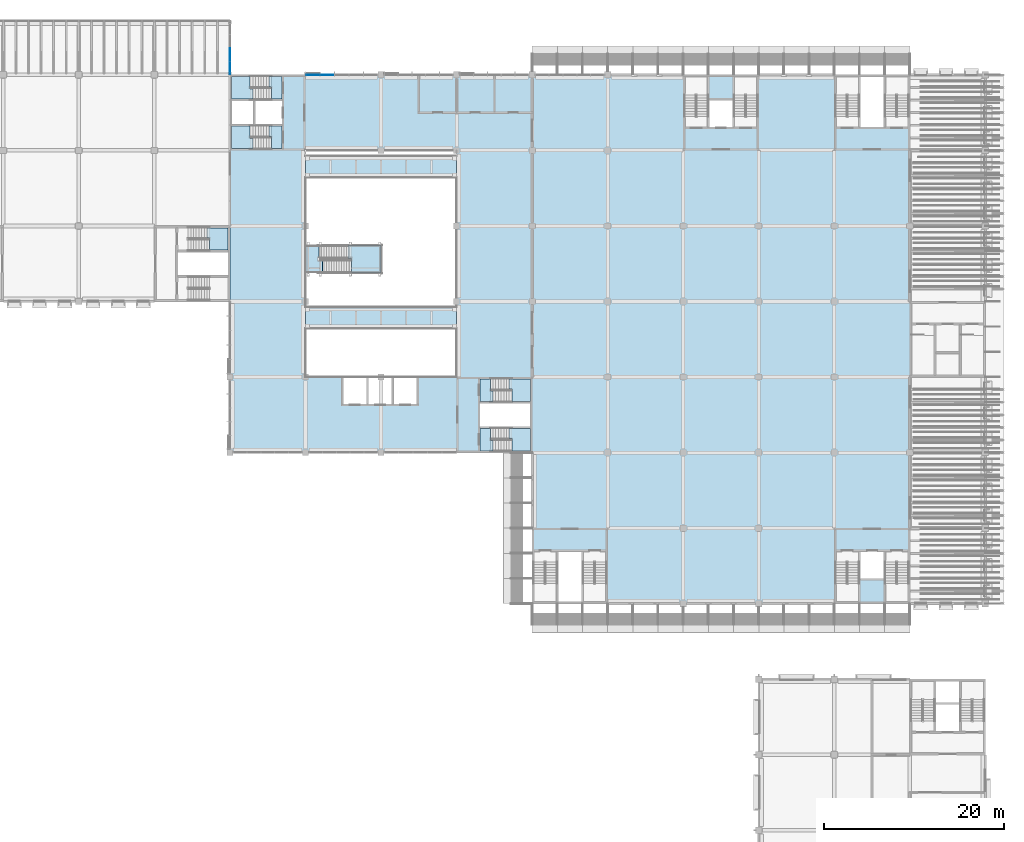
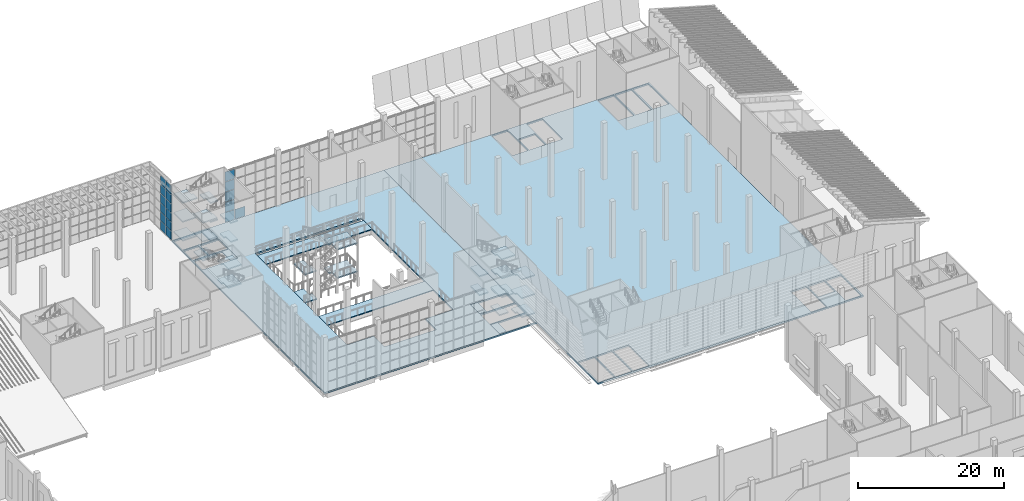
# One storey, part 36 of 114: 34 slabs, 18 plates, 8 elements without a shape of their own.
"""IFC4 building model written with IfcOpenShell, lengths in metres."""

from ifc_helpers import new_model, si_unit, direction, frame, origin, origin_2d, place, context, subcontext, project, spatial, polyline, rectangle, outline, extrude, material, layer, layer_set, type_object, element, aggregate, save


model = new_model("IFC4")

# Units and contexts
model_context = context("Model", 3, precision=1e-05, world=origin(), true_north=direction((0.0, 1.0)))
body_context = subcontext(model_context, "Body", "Model", "MODEL_VIEW")
ifc_project = project(units=[si_unit("LENGTHUNIT", "METRE"), si_unit("AREAUNIT", "SQUARE_METRE"), si_unit("VOLUMEUNIT", "CUBIC_METRE"), si_unit("PLANEANGLEUNIT", "RADIAN"), si_unit("MASSUNIT", "GRAM", prefix="KILO")], contexts=[model_context])

# Site, building, storey
site_placement = place(None, origin())
site = spatial("IfcSite", under=ifc_project, at=site_placement, CompositionType="ELEMENT")
building_placement = place(site_placement, origin())
building = spatial("IfcBuilding", under=site, at=building_placement, Name="Almond Square Museum", CompositionType="ELEMENT")
storey_placement = place(building_placement, frame((0.0, 0.0, 10.5)))
storey = spatial("IfcBuildingStorey", under=building, at=storey_placement, Name="L02", CompositionType="ELEMENT", Elevation=10.5)

# Slabs
ifc_material_1 = material(Name="Concrete C35/45", Category="concrete")
ifc_layer_1 = layer(ifc_material_1, 0.14990234375)
ifc_layer_set_1 = layer_set([ifc_layer_1], Name="Concrete C35/45")
slab_type_1 = type_object("IfcSlabType", Name="Bridge deck slab 150", PredefinedType="FLOOR", material=ifc_layer_set_1)
slab_1_placement = place(storey_placement, frame((0.0, 0.0, -0.14990234375)))
element("IfcSlab", 1, at=slab_1_placement, inside=storey, type_object=slab_type_1, Name="Bridge 3 deck", PredefinedType="FLOOR", context=body_context, shape_type="SweptSolid", body=[
    extrude(outline(polyline([(81.60009765625, 81.0), (98.39990234375, 81.0), (98.39990234375, 83.39990234375), (81.60009765625, 83.39990234375), (81.60009765625, 81.0)])), origin(), (0.0, 0.0, 1.0), 0.14990234375),
])
slab_2_placement = place(storey_placement, frame((0.0, 0.0, -0.14990234375)))
element("IfcSlab", 2, at=slab_2_placement, inside=storey, type_object=slab_type_1, Name="Bridge 4 deck", PredefinedType="FLOOR", context=body_context, shape_type="SweptSolid", body=[
    extrude(outline(polyline([(81.60009765625, 97.800048828125), (98.39990234375, 97.800048828125), (98.39990234375, 100.199951171875), (81.60009765625, 100.199951171875), (81.60009765625, 97.800048828125)])), origin(), (0.0, 0.0, 1.0), 0.14990234375),
])

# Stair, slabs
ifc_material_2 = material(Name="Concrete C40/50", Category="concrete")
stair_type_1 = type_object("IfcStairType", Name="Exit stair 54 risers of 176 mm", PredefinedType="HALF_TURN_STAIR", material=ifc_material_2)
stair_1_placement = place(storey_placement, origin())
stair_1 = element("IfcStair", 3, at=stair_1_placement, inside=storey, type_object=stair_type_1, Name="L02 stair A1-1", PredefinedType="HALF_TURN_STAIR")
ifc_material_3 = material(Name="Concrete C40/50", Category="concrete")
ifc_layer_2 = layer(ifc_material_3, 0.199951171875)
ifc_layer_set_2 = layer_set([ifc_layer_2], Name="Concrete C40/50")
slab_type_2 = type_object("IfcSlabType", Name="Concrete stair landing 200", PredefinedType="LANDING", material=ifc_layer_set_2)
slab_3_placement = place(storey_placement, frame((0.0, 0.0, 1.38330078125)))
slab_3 = element("IfcSlab", 4, at=slab_3_placement, type_object=slab_type_2, Name="ST-09 landing 1", PredefinedType="LANDING", context=body_context, shape_type="SweptSolid", body=[
    extrude(outline(polyline([(75.452880859375, 103.5), (73.39990234375, 103.5), (73.39990234375, 101.0), (75.75, 101.0), (75.75, 102.14990234375), (75.452880859375, 102.14990234375), (75.452880859375, 103.5)])), origin(), (0.0, 0.0, 1.0), 0.199951171875),
])
slab_4_placement = place(storey_placement, frame((0.0, 0.0, 2.966552734375)))
slab_4 = element("IfcSlab", 5, at=slab_4_placement, type_object=slab_type_2, Name="ST-09 landing 2", PredefinedType="LANDING", context=body_context, shape_type="SweptSolid", body=[
    extrude(outline(polyline([(79.0, 103.5), (77.85009765625, 103.5), (77.550048828125, 103.5), (77.550048828125, 102.35009765625), (77.846923828125, 102.35009765625), (77.846923828125, 101.0), (79.0, 101.0), (79.0, 103.5)])), origin(), (0.0, 0.0, 1.0), 0.2001953125),
])
slab_5_placement = place(storey_placement, frame((0.0, 0.0, 4.550048828125)))
slab_5 = element("IfcSlab", 6, at=slab_5_placement, type_object=slab_type_2, Name="ST-09 landing 3", PredefinedType="LANDING", context=body_context, shape_type="SweptSolid", body=[
    extrude(outline(polyline([(75.452880859375, 103.5), (73.39990234375, 103.5), (73.39990234375, 101.0), (75.75, 101.0), (75.75, 102.14990234375), (75.452880859375, 102.14990234375), (75.452880859375, 103.5)])), origin(), (0.0, 0.0, 1.0), 0.199951171875),
])
slab_6_placement = place(storey_placement, frame((0.0, 0.0, 6.13330078125)))
slab_6 = element("IfcSlab", 7, at=slab_6_placement, type_object=slab_type_2, Name="ST-09 landing 4", PredefinedType="LANDING", context=body_context, shape_type="SweptSolid", body=[
    extrude(outline(polyline([(79.0, 103.5), (77.85009765625, 103.5), (77.550048828125, 103.5), (77.550048828125, 102.35009765625), (77.846923828125, 102.35009765625), (77.846923828125, 101.0), (79.0, 101.0), (79.0, 103.5)])), origin(), (0.0, 0.0, 1.0), 0.199951171875),
])
slab_7_placement = place(storey_placement, frame((0.0, 0.0, 7.716552734375)))
slab_7 = element("IfcSlab", 8, at=slab_7_placement, type_object=slab_type_2, Name="ST-09 landing 5", PredefinedType="LANDING", context=body_context, shape_type="SweptSolid", body=[
    extrude(outline(polyline([(75.452880859375, 103.5), (73.39990234375, 103.5), (73.39990234375, 101.0), (75.75, 101.0), (75.75, 102.14990234375), (75.452880859375, 102.14990234375), (75.452880859375, 103.5)])), origin(), (0.0, 0.0, 1.0), 0.2001953125),
])
aggregate(stair_1, [slab_3, slab_4, slab_5, slab_6, slab_7])

stair_2_placement = place(storey_placement, origin())
stair_2 = element("IfcStair", 9, at=stair_2_placement, inside=storey, type_object=stair_type_1, Name="L02 stair A1-2", PredefinedType="HALF_TURN_STAIR")
slab_8_placement = place(storey_placement, frame((0.0, 0.0, 1.38330078125)))
slab_8 = element("IfcSlab", 10, at=slab_8_placement, type_object=slab_type_2, Name="ST-10 landing 1", PredefinedType="LANDING", context=body_context, shape_type="SweptSolid", body=[
    extrude(outline(polyline([(75.452880859375, 109.0), (73.39990234375, 109.0), (73.39990234375, 106.5), (75.75, 106.5), (75.75, 107.64990234375), (75.452880859375, 107.64990234375), (75.452880859375, 109.0)])), origin(), (0.0, 0.0, 1.0), 0.199951171875),
])
slab_9_placement = place(storey_placement, frame((0.0, 0.0, 2.966552734375)))
slab_9 = element("IfcSlab", 11, at=slab_9_placement, type_object=slab_type_2, Name="ST-10 landing 2", PredefinedType="LANDING", context=body_context, shape_type="SweptSolid", body=[
    extrude(outline(polyline([(79.0, 109.0), (77.85009765625, 109.0), (77.550048828125, 109.0), (77.550048828125, 107.85009765625), (77.846923828125, 107.85009765625), (77.846923828125, 106.5), (79.0, 106.5), (79.0, 109.0)])), origin(), (0.0, 0.0, 1.0), 0.2001953125),
])
slab_10_placement = place(storey_placement, frame((0.0, 0.0, 4.550048828125)))
slab_10 = element("IfcSlab", 12, at=slab_10_placement, type_object=slab_type_2, Name="ST-10 landing 3", PredefinedType="LANDING", context=body_context, shape_type="SweptSolid", body=[
    extrude(outline(polyline([(75.452880859375, 109.0), (73.39990234375, 109.0), (73.39990234375, 106.5), (75.75, 106.5), (75.75, 107.64990234375), (75.452880859375, 107.64990234375), (75.452880859375, 109.0)])), origin(), (0.0, 0.0, 1.0), 0.199951171875),
])
slab_11_placement = place(storey_placement, frame((0.0, 0.0, 6.13330078125)))
slab_11 = element("IfcSlab", 13, at=slab_11_placement, type_object=slab_type_2, Name="ST-10 landing 4", PredefinedType="LANDING", context=body_context, shape_type="SweptSolid", body=[
    extrude(outline(polyline([(79.0, 109.0), (77.85009765625, 109.0), (77.550048828125, 109.0), (77.550048828125, 107.85009765625), (77.846923828125, 107.85009765625), (77.846923828125, 106.5), (79.0, 106.5), (79.0, 109.0)])), origin(), (0.0, 0.0, 1.0), 0.199951171875),
])
slab_12_placement = place(storey_placement, frame((0.0, 0.0, 7.716552734375)))
slab_12 = element("IfcSlab", 14, at=slab_12_placement, type_object=slab_type_2, Name="ST-10 landing 5", PredefinedType="LANDING", context=body_context, shape_type="SweptSolid", body=[
    extrude(outline(polyline([(75.452880859375, 109.0), (73.39990234375, 109.0), (73.39990234375, 106.5), (75.75, 106.5), (75.75, 107.64990234375), (75.452880859375, 107.64990234375), (75.452880859375, 109.0)])), origin(), (0.0, 0.0, 1.0), 0.2001953125),
])
aggregate(stair_2, [slab_8, slab_9, slab_10, slab_11, slab_12])

stair_3_placement = place(storey_placement, origin())
stair_3 = element("IfcStair", 15, at=stair_3_placement, inside=storey, type_object=stair_type_1, Name="L02 stair A2-1", PredefinedType="HALF_TURN_STAIR")
slab_13_placement = place(storey_placement, frame((0.0, 0.0, 1.38330078125)))
slab_13 = element("IfcSlab", 16, at=slab_13_placement, type_object=slab_type_2, Name="ST-11 landing 1", PredefinedType="LANDING", context=body_context, shape_type="SweptSolid", body=[
    extrude(outline(polyline([(104.547119140625, 67.39990234375), (106.60009765625, 67.39990234375), (106.60009765625, 69.89990234375), (104.25, 69.89990234375), (104.25, 68.75), (104.547119140625, 68.75), (104.547119140625, 67.39990234375)])), origin(), (0.0, 0.0, 1.0), 0.199951171875),
])
slab_14_placement = place(storey_placement, frame((0.0, 0.0, 2.966552734375)))
slab_14 = element("IfcSlab", 17, at=slab_14_placement, type_object=slab_type_2, Name="ST-11 landing 2", PredefinedType="LANDING", context=body_context, shape_type="SweptSolid", body=[
    extrude(outline(polyline([(101.0, 67.39990234375), (102.14990234375, 67.39990234375), (102.449951171875, 67.39990234375), (102.449951171875, 68.550048828125), (102.153076171875, 68.550048828125), (102.153076171875, 69.89990234375), (101.0, 69.89990234375), (101.0, 67.39990234375)])), origin(), (0.0, 0.0, 1.0), 0.2001953125),
])
slab_15_placement = place(storey_placement, frame((0.0, 0.0, 4.550048828125)))
slab_15 = element("IfcSlab", 18, at=slab_15_placement, type_object=slab_type_2, Name="ST-11 landing 3", PredefinedType="LANDING", context=body_context, shape_type="SweptSolid", body=[
    extrude(outline(polyline([(104.547119140625, 67.39990234375), (106.60009765625, 67.39990234375), (106.60009765625, 69.89990234375), (104.25, 69.89990234375), (104.25, 68.75), (104.547119140625, 68.75), (104.547119140625, 67.39990234375)])), origin(), (0.0, 0.0, 1.0), 0.199951171875),
])
slab_16_placement = place(storey_placement, frame((0.0, 0.0, 6.13330078125)))
slab_16 = element("IfcSlab", 19, at=slab_16_placement, type_object=slab_type_2, Name="ST-11 landing 4", PredefinedType="LANDING", context=body_context, shape_type="SweptSolid", body=[
    extrude(outline(polyline([(101.0, 67.39990234375), (102.14990234375, 67.39990234375), (102.449951171875, 67.39990234375), (102.449951171875, 68.550048828125), (102.153076171875, 68.550048828125), (102.153076171875, 69.89990234375), (101.0, 69.89990234375), (101.0, 67.39990234375)])), origin(), (0.0, 0.0, 1.0), 0.199951171875),
])
slab_17_placement = place(storey_placement, frame((0.0, 0.0, 7.716552734375)))
slab_17 = element("IfcSlab", 20, at=slab_17_placement, type_object=slab_type_2, Name="ST-11 landing 5", PredefinedType="LANDING", context=body_context, shape_type="SweptSolid", body=[
    extrude(outline(polyline([(104.547119140625, 67.39990234375), (106.60009765625, 67.39990234375), (106.60009765625, 69.89990234375), (104.25, 69.89990234375), (104.25, 68.75), (104.547119140625, 68.75), (104.547119140625, 67.39990234375)])), origin(), (0.0, 0.0, 1.0), 0.2001953125),
])
aggregate(stair_3, [slab_13, slab_14, slab_15, slab_16, slab_17])

stair_4_placement = place(storey_placement, origin())
stair_4 = element("IfcStair", 21, at=stair_4_placement, inside=storey, type_object=stair_type_1, Name="L02 stair A2-2", PredefinedType="HALF_TURN_STAIR")
slab_18_placement = place(storey_placement, frame((0.0, 0.0, 1.38330078125)))
slab_18 = element("IfcSlab", 22, at=slab_18_placement, type_object=slab_type_2, Name="ST-12 landing 1", PredefinedType="LANDING", context=body_context, shape_type="SweptSolid", body=[
    extrude(outline(polyline([(104.547119140625, 72.89990234375), (106.60009765625, 72.89990234375), (106.60009765625, 75.39990234375), (104.25, 75.39990234375), (104.25, 74.25), (104.547119140625, 74.25), (104.547119140625, 72.89990234375)])), origin(), (0.0, 0.0, 1.0), 0.199951171875),
])
slab_19_placement = place(storey_placement, frame((0.0, 0.0, 2.966552734375)))
slab_19 = element("IfcSlab", 23, at=slab_19_placement, type_object=slab_type_2, Name="ST-12 landing 2", PredefinedType="LANDING", context=body_context, shape_type="SweptSolid", body=[
    extrude(outline(polyline([(101.0, 72.89990234375), (102.14990234375, 72.89990234375), (102.449951171875, 72.89990234375), (102.449951171875, 74.050048828125), (102.153076171875, 74.050048828125), (102.153076171875, 75.39990234375), (101.0, 75.39990234375), (101.0, 72.89990234375)])), origin(), (0.0, 0.0, 1.0), 0.2001953125),
])
slab_20_placement = place(storey_placement, frame((0.0, 0.0, 4.550048828125)))
slab_20 = element("IfcSlab", 24, at=slab_20_placement, type_object=slab_type_2, Name="ST-12 landing 3", PredefinedType="LANDING", context=body_context, shape_type="SweptSolid", body=[
    extrude(outline(polyline([(104.547119140625, 72.89990234375), (106.60009765625, 72.89990234375), (106.60009765625, 75.39990234375), (104.25, 75.39990234375), (104.25, 74.25), (104.547119140625, 74.25), (104.547119140625, 72.89990234375)])), origin(), (0.0, 0.0, 1.0), 0.199951171875),
])
slab_21_placement = place(storey_placement, frame((0.0, 0.0, 6.13330078125)))
slab_21 = element("IfcSlab", 25, at=slab_21_placement, type_object=slab_type_2, Name="ST-12 landing 4", PredefinedType="LANDING", context=body_context, shape_type="SweptSolid", body=[
    extrude(outline(polyline([(101.0, 72.89990234375), (102.14990234375, 72.89990234375), (102.449951171875, 72.89990234375), (102.449951171875, 74.050048828125), (102.153076171875, 74.050048828125), (102.153076171875, 75.39990234375), (101.0, 75.39990234375), (101.0, 72.89990234375)])), origin(), (0.0, 0.0, 1.0), 0.199951171875),
])
slab_22_placement = place(storey_placement, frame((0.0, 0.0, 7.716552734375)))
slab_22 = element("IfcSlab", 26, at=slab_22_placement, type_object=slab_type_2, Name="ST-12 landing 5", PredefinedType="LANDING", context=body_context, shape_type="SweptSolid", body=[
    extrude(outline(polyline([(104.547119140625, 72.89990234375), (106.60009765625, 72.89990234375), (106.60009765625, 75.39990234375), (104.25, 75.39990234375), (104.25, 74.25), (104.547119140625, 74.25), (104.547119140625, 72.89990234375)])), origin(), (0.0, 0.0, 1.0), 0.2001953125),
])
aggregate(stair_4, [slab_18, slab_19, slab_20, slab_21, slab_22])

stair_5_placement = place(storey_placement, origin())
stair_5 = element("IfcStair", 27, at=stair_5_placement, inside=storey, type_object=stair_type_1, Name="L02 stair N2-2", PredefinedType="HALF_TURN_STAIR")
slab_23_placement = place(storey_placement, frame((0.0, 0.0, 4.550048828125)))
slab_23 = element("IfcSlab", 28, at=slab_23_placement, type_object=slab_type_2, Name="ST-20 landing 3", PredefinedType="LANDING", context=body_context, shape_type="SweptSolid", body=[
    extrude(outline(polyline([(70.947021484375, 89.699951171875), (73.0, 89.699951171875), (73.0, 92.199951171875), (70.64990234375, 92.199951171875), (70.64990234375, 91.050048828125), (70.947021484375, 91.050048828125), (70.947021484375, 89.699951171875)])), origin(), (0.0, 0.0, 1.0), 0.199951171875),
])
slab_24_placement = place(storey_placement, frame((0.0, 0.0, 7.716552734375)))
slab_24 = element("IfcSlab", 29, at=slab_24_placement, type_object=slab_type_2, Name="ST-20 landing 5", PredefinedType="LANDING", context=body_context, shape_type="SweptSolid", body=[
    extrude(outline(polyline([(70.947021484375, 89.699951171875), (73.0, 89.699951171875), (73.0, 92.199951171875), (70.64990234375, 92.199951171875), (70.64990234375, 91.050048828125), (70.947021484375, 91.050048828125), (70.947021484375, 89.699951171875)])), origin(), (0.0, 0.0, 1.0), 0.2001953125),
])
aggregate(stair_5, [slab_23, slab_24])

# Slabs
slab_25_placement = place(storey_placement, frame((0.0, 0.0, -0.199951171875)))
element("IfcSlab", 30, at=slab_25_placement, inside=storey, type_object=slab_type_2, Name="L02 stair A1-1 floor landing", PredefinedType="LANDING", context=body_context, shape_type="SweptSolid", body=[
    extrude(outline(polyline([(77.846923828125, 101.0), (79.0, 101.0), (79.0, 103.5), (77.846923828125, 103.5), (77.846923828125, 101.0)])), origin(), (0.0, 0.0, 1.0), 0.199951171875),
])
slab_26_placement = place(storey_placement, frame((0.0, 0.0, -0.199951171875)))
element("IfcSlab", 31, at=slab_26_placement, inside=storey, type_object=slab_type_2, Name="L02 stair A1-2 floor landing", PredefinedType="LANDING", context=body_context, shape_type="SweptSolid", body=[
    extrude(outline(polyline([(77.846923828125, 106.5), (79.0, 106.5), (79.0, 109.0), (77.846923828125, 109.0), (77.846923828125, 106.5)])), origin(), (0.0, 0.0, 1.0), 0.199951171875),
])
slab_27_placement = place(storey_placement, frame((0.0, 0.0, -0.199951171875)))
element("IfcSlab", 32, at=slab_27_placement, inside=storey, type_object=slab_type_2, Name="L02 stair A2-1 floor landing", PredefinedType="LANDING", context=body_context, shape_type="SweptSolid", body=[
    extrude(outline(polyline([(101.0, 67.39990234375), (102.153076171875, 67.39990234375), (102.153076171875, 69.89990234375), (101.0, 69.89990234375), (101.0, 67.39990234375)])), origin(), (0.0, 0.0, 1.0), 0.199951171875),
])
slab_28_placement = place(storey_placement, frame((0.0, 0.0, -0.199951171875)))
element("IfcSlab", 33, at=slab_28_placement, inside=storey, type_object=slab_type_2, Name="L02 stair A2-2 floor landing", PredefinedType="LANDING", context=body_context, shape_type="SweptSolid", body=[
    extrude(outline(polyline([(101.0, 72.89990234375), (102.153076171875, 72.89990234375), (102.153076171875, 75.39990234375), (101.0, 75.39990234375), (101.0, 72.89990234375)])), origin(), (0.0, 0.0, 1.0), 0.199951171875),
])

# Stair, slabs
ifc_material_4 = material(Name="Concrete C40/50", Category="concrete")
stair_type_2 = type_object("IfcStairType", Name="Feature stair 1400 open flights", PredefinedType="HALF_TURN_STAIR", material=ifc_material_4)
stair_6_placement = place(storey_placement, origin())
stair_6 = element("IfcStair", 34, at=stair_6_placement, inside=storey, type_object=stair_type_2, Name="L02 atrium feature stair", PredefinedType="HALF_TURN_STAIR")
ifc_material_5 = material(Name="Concrete C40/50", Category="concrete")
ifc_layer_3 = layer(ifc_material_5, 0.199951171875)
ifc_layer_set_3 = layer_set([ifc_layer_3], Name="Concrete C40/50")
slab_type_3 = type_object("IfcSlabType", Name="Feature stair landing 200", PredefinedType="LANDING", material=ifc_layer_set_3)
slab_29_placement = place(storey_placement, frame((0.0, 0.0, 2.175048828125)))
slab_29 = element("IfcSlab", 35, at=slab_29_placement, type_object=slab_type_3, Name="ST-F landing 1", PredefinedType="LANDING", context=body_context, shape_type="SweptSolid", body=[
    extrude(outline(polyline([(86.737060546875, 87.199951171875), (90.0, 87.199951171875), (90.0, 90.199951171875), (86.344970703125, 90.199951171875), (86.344970703125, 88.800048828125), (86.737060546875, 88.800048828125), (86.737060546875, 87.199951171875)])), origin(), (0.0, 0.0, 1.0), 0.199951171875),
])
slab_30_placement = place(storey_placement, frame((0.0, 0.0, 4.550048828125)))
slab_30 = element("IfcSlab", 36, at=slab_30_placement, type_object=slab_type_3, Name="ST-F landing 2", PredefinedType="LANDING", context=body_context, shape_type="SweptSolid", body=[
    extrude(outline(polyline([(81.60009765625, 87.199951171875), (83.10009765625, 87.199951171875), (83.4951171875, 87.199951171875), (83.4951171875, 88.60009765625), (83.10302734375, 88.60009765625), (83.10302734375, 90.199951171875), (81.60009765625, 90.199951171875), (81.60009765625, 87.199951171875)])), origin(), (0.0, 0.0, 1.0), 0.199951171875),
])
slab_31_placement = place(storey_placement, frame((0.0, 0.0, 6.925048828125)))
slab_31 = element("IfcSlab", 37, at=slab_31_placement, type_object=slab_type_3, Name="ST-F landing 3", PredefinedType="LANDING", context=body_context, shape_type="SweptSolid", body=[
    extrude(outline(polyline([(86.737060546875, 87.199951171875), (90.0, 87.199951171875), (90.0, 90.199951171875), (86.344970703125, 90.199951171875), (86.344970703125, 88.800048828125), (86.737060546875, 88.800048828125), (86.737060546875, 87.199951171875)])), origin(), (0.0, 0.0, 1.0), 0.199951171875),
])
aggregate(stair_6, [slab_29, slab_30, slab_31])

# Slab
slab_32_placement = place(storey_placement, frame((0.0, 0.0, -0.199951171875)))
element("IfcSlab", 38, at=slab_32_placement, inside=storey, type_object=slab_type_3, Name="L02 atrium feature stair floor landing", PredefinedType="LANDING", context=body_context, shape_type="SweptSolid", body=[
    extrude(outline(polyline([(81.60009765625, 87.199951171875), (83.56494140625, 87.199951171875), (83.56494140625, 88.60009765625), (83.10302734375, 88.60009765625), (83.10302734375, 90.199951171875), (81.60009765625, 90.199951171875), (81.60009765625, 87.199951171875)])), origin(), (0.0, 0.0, 1.0), 0.199951171875),
])

# Curtain wall, plates
ifc_material_6 = material(Name="Aluminium and laminated glass", Category="aluminium")
curtain_wall_type = type_object("IfcCurtainWallType", Name="Unitised curtain wall 1500 module", PredefinedType="NOTDEFINED", material=ifc_material_6)
curtain_wall_1_placement = place(storey_placement, origin())
curtain_wall_1 = element("IfcCurtainWall", 39, at=curtain_wall_1_placement, inside=storey, type_object=curtain_wall_type, Name="Curtain wall CW-19", PredefinedType="NOTDEFINED")
ifc_material_7 = material(Name="Laminated hurricane-rated glass", Category="glass")
ifc_layer_4 = layer(ifc_material_7, 0.035888671875)
ifc_layer_set_4 = layer_set([ifc_layer_4], Name="Laminated hurricane-rated glass")
plate_type = type_object("IfcPlateType", Name="Laminated glass panel 36", PredefinedType="CURTAIN_PANEL", material=ifc_layer_set_4)
plate_1_placement = place(storey_placement, frame((82.419921875, 109.199951171875, 0.06005859375), z_axis=(0.0, 0.0, 1.0), x_axis=(1.0, 0.0, 0.0)))
plate_1 = element("IfcPlate", 40, at=plate_1_placement, type_object=plate_type, Name="CW-19 panel 1.1", PredefinedType="CURTAIN_PANEL", context=body_context, shape_type="SweptSolid", body=[
    extrude(rectangle(XDim=1.52001953125, YDim=0.035888671875, at=origin_2d()), origin(), (0.0, 0.0, 1.0), 1.6201171875),
])
plate_2_placement = place(storey_placement, frame((82.419921875, 109.199951171875, 1.739990234375), z_axis=(0.0, 0.0, 1.0), x_axis=(1.0, 0.0, 0.0)))
plate_2 = element("IfcPlate", 41, at=plate_2_placement, type_object=plate_type, Name="CW-19 panel 1.2", PredefinedType="CURTAIN_PANEL", context=body_context, shape_type="SweptSolid", body=[
    extrude(rectangle(XDim=1.52001953125, YDim=0.035888671875, at=origin_2d()), origin(), (0.0, 0.0, 1.0), 1.64990234375),
])
plate_3_placement = place(storey_placement, frame((82.419921875, 109.199951171875, 3.449951171875), z_axis=(0.0, 0.0, 1.0), x_axis=(1.0, 0.0, 0.0)))
plate_3 = element("IfcPlate", 42, at=plate_3_placement, type_object=plate_type, Name="CW-19 panel 1.3", PredefinedType="CURTAIN_PANEL", context=body_context, shape_type="SweptSolid", body=[
    extrude(rectangle(XDim=1.52001953125, YDim=0.035888671875, at=origin_2d()), origin(), (0.0, 0.0, 1.0), 1.64990234375),
])
plate_4_placement = place(storey_placement, frame((82.419921875, 109.199951171875, 5.16015625), z_axis=(0.0, 0.0, 1.0), x_axis=(1.0, 0.0, 0.0)))
plate_4 = element("IfcPlate", 43, at=plate_4_placement, type_object=plate_type, Name="CW-19 panel 1.4", PredefinedType="CURTAIN_PANEL", context=body_context, shape_type="SweptSolid", body=[
    extrude(rectangle(XDim=1.52001953125, YDim=0.035888671875, at=origin_2d()), origin(), (0.0, 0.0, 1.0), 1.64990234375),
])
plate_5_placement = place(storey_placement, frame((82.419921875, 109.199951171875, 6.869873046875), z_axis=(0.0, 0.0, 1.0), x_axis=(1.0, 0.0, 0.0)))
plate_5 = element("IfcPlate", 44, at=plate_5_placement, type_object=plate_type, Name="CW-19 panel 1.5", PredefinedType="CURTAIN_PANEL", context=body_context, shape_type="SweptSolid", body=[
    extrude(rectangle(XDim=1.52001953125, YDim=0.035888671875, at=origin_2d()), origin(), (0.0, 0.0, 1.0), 1.6201171875),
])
plate_6_placement = place(storey_placement, frame((84.014892578125, 109.199951171875, 0.06005859375), z_axis=(0.0, 0.0, 1.0), x_axis=(1.0, 0.0, 0.0)))
plate_6 = element("IfcPlate", 45, at=plate_6_placement, type_object=plate_type, Name="CW-19 panel 2.1", PredefinedType="CURTAIN_PANEL", context=body_context, shape_type="SweptSolid", body=[
    extrude(rectangle(XDim=1.550048828125, YDim=0.035888671875, at=origin_2d()), origin(), (0.0, 0.0, 1.0), 1.6201171875),
])
aggregate(curtain_wall_1, [plate_1, plate_2, plate_3, plate_4, plate_5, plate_6])

curtain_wall_2_placement = place(storey_placement, origin())
curtain_wall_2 = element("IfcCurtainWall", 46, at=curtain_wall_2_placement, inside=storey, type_object=curtain_wall_type, Name="Curtain wall CW-20", PredefinedType="NOTDEFINED")
plate_7_placement = place(storey_placement, frame((73.199951171875, 109.965087890625, 0.06005859375), z_axis=(0.0, 0.0, 1.0), x_axis=(0.0, 1.0, 0.0)))
plate_7 = element("IfcPlate", 47, at=plate_7_placement, type_object=plate_type, Name="CW-20 panel 1.1", PredefinedType="CURTAIN_PANEL", context=body_context, shape_type="SweptSolid", body=[
    extrude(rectangle(XDim=1.409912109375, YDim=0.035888671875, at=origin_2d()), origin(), (0.0, 0.0, 1.0), 1.437744140625),
])
plate_8_placement = place(storey_placement, frame((73.199951171875, 109.965087890625, 1.5576171875), z_axis=(0.0, 0.0, 1.0), x_axis=(0.0, 1.0, 0.0)))
plate_8 = element("IfcPlate", 48, at=plate_8_placement, type_object=plate_type, Name="CW-20 panel 1.2", PredefinedType="CURTAIN_PANEL", context=body_context, shape_type="SweptSolid", body=[
    extrude(rectangle(XDim=1.409912109375, YDim=0.035888671875, at=origin_2d()), origin(), (0.0, 0.0, 1.0), 1.4677734375),
])
plate_9_placement = place(storey_placement, frame((73.199951171875, 109.965087890625, 3.08544921875), z_axis=(0.0, 0.0, 1.0), x_axis=(0.0, 1.0, 0.0)))
plate_9 = element("IfcPlate", 49, at=plate_9_placement, type_object=plate_type, Name="CW-20 panel 1.3", PredefinedType="CURTAIN_PANEL", context=body_context, shape_type="SweptSolid", body=[
    extrude(rectangle(XDim=1.409912109375, YDim=0.035888671875, at=origin_2d()), origin(), (0.0, 0.0, 1.0), 1.4677734375),
])
plate_10_placement = place(storey_placement, frame((73.199951171875, 109.965087890625, 4.613037109375), z_axis=(0.0, 0.0, 1.0), x_axis=(0.0, 1.0, 0.0)))
plate_10 = element("IfcPlate", 50, at=plate_10_placement, type_object=plate_type, Name="CW-20 panel 1.4", PredefinedType="CURTAIN_PANEL", context=body_context, shape_type="SweptSolid", body=[
    extrude(rectangle(XDim=1.409912109375, YDim=0.035888671875, at=origin_2d()), origin(), (0.0, 0.0, 1.0), 1.4677734375),
])
plate_11_placement = place(storey_placement, frame((73.199951171875, 109.965087890625, 6.140869140625), z_axis=(0.0, 0.0, 1.0), x_axis=(0.0, 1.0, 0.0)))
plate_11 = element("IfcPlate", 51, at=plate_11_placement, type_object=plate_type, Name="CW-20 panel 1.5", PredefinedType="CURTAIN_PANEL", context=body_context, shape_type="SweptSolid", body=[
    extrude(rectangle(XDim=1.409912109375, YDim=0.035888671875, at=origin_2d()), origin(), (0.0, 0.0, 1.0), 1.4677734375),
])
plate_12_placement = place(storey_placement, frame((73.199951171875, 109.965087890625, 7.66845703125), z_axis=(0.0, 0.0, 1.0), x_axis=(0.0, 1.0, 0.0)))
plate_12 = element("IfcPlate", 52, at=plate_12_placement, type_object=plate_type, Name="CW-20 panel 1.6", PredefinedType="CURTAIN_PANEL", context=body_context, shape_type="SweptSolid", body=[
    extrude(rectangle(XDim=1.409912109375, YDim=0.035888671875, at=origin_2d()), origin(), (0.0, 0.0, 1.0), 1.437744140625),
])
plate_13_placement = place(storey_placement, frame((73.199951171875, 111.449951171875, 0.06005859375), z_axis=(0.0, 0.0, 1.0), x_axis=(0.0, 1.0, 0.0)))
plate_13 = element("IfcPlate", 53, at=plate_13_placement, type_object=plate_type, Name="CW-20 panel 2.1", PredefinedType="CURTAIN_PANEL", context=body_context, shape_type="SweptSolid", body=[
    extrude(rectangle(XDim=1.43994140625, YDim=0.035888671875, at=origin_2d()), origin(), (0.0, 0.0, 1.0), 1.437744140625),
])
plate_14_placement = place(storey_placement, frame((73.199951171875, 111.449951171875, 1.5576171875), z_axis=(0.0, 0.0, 1.0), x_axis=(0.0, 1.0, 0.0)))
plate_14 = element("IfcPlate", 54, at=plate_14_placement, type_object=plate_type, Name="CW-20 panel 2.2", PredefinedType="CURTAIN_PANEL", context=body_context, shape_type="SweptSolid", body=[
    extrude(rectangle(XDim=1.43994140625, YDim=0.035888671875, at=origin_2d()), origin(), (0.0, 0.0, 1.0), 1.4677734375),
])
plate_15_placement = place(storey_placement, frame((73.199951171875, 111.449951171875, 3.08544921875), z_axis=(0.0, 0.0, 1.0), x_axis=(0.0, 1.0, 0.0)))
plate_15 = element("IfcPlate", 55, at=plate_15_placement, type_object=plate_type, Name="CW-20 panel 2.3", PredefinedType="CURTAIN_PANEL", context=body_context, shape_type="SweptSolid", body=[
    extrude(rectangle(XDim=1.43994140625, YDim=0.035888671875, at=origin_2d()), origin(), (0.0, 0.0, 1.0), 1.4677734375),
])
plate_16_placement = place(storey_placement, frame((73.199951171875, 111.449951171875, 4.613037109375), z_axis=(0.0, 0.0, 1.0), x_axis=(0.0, 1.0, 0.0)))
plate_16 = element("IfcPlate", 56, at=plate_16_placement, type_object=plate_type, Name="CW-20 panel 2.4", PredefinedType="CURTAIN_PANEL", context=body_context, shape_type="SweptSolid", body=[
    extrude(rectangle(XDim=1.43994140625, YDim=0.035888671875, at=origin_2d()), origin(), (0.0, 0.0, 1.0), 1.4677734375),
])
plate_17_placement = place(storey_placement, frame((73.199951171875, 111.449951171875, 6.140869140625), z_axis=(0.0, 0.0, 1.0), x_axis=(0.0, 1.0, 0.0)))
plate_17 = element("IfcPlate", 57, at=plate_17_placement, type_object=plate_type, Name="CW-20 panel 2.5", PredefinedType="CURTAIN_PANEL", context=body_context, shape_type="SweptSolid", body=[
    extrude(rectangle(XDim=1.43994140625, YDim=0.035888671875, at=origin_2d()), origin(), (0.0, 0.0, 1.0), 1.4677734375),
])
plate_18_placement = place(storey_placement, frame((73.199951171875, 111.449951171875, 7.66845703125), z_axis=(0.0, 0.0, 1.0), x_axis=(0.0, 1.0, 0.0)))
plate_18 = element("IfcPlate", 58, at=plate_18_placement, type_object=plate_type, Name="CW-20 panel 2.6", PredefinedType="CURTAIN_PANEL", context=body_context, shape_type="SweptSolid", body=[
    extrude(rectangle(XDim=1.43994140625, YDim=0.035888671875, at=origin_2d()), origin(), (0.0, 0.0, 1.0), 1.437744140625),
])
aggregate(curtain_wall_2, [plate_7, plate_8, plate_9, plate_10, plate_11, plate_12, plate_13, plate_14, plate_15, plate_16, plate_17, plate_18])

# Slabs
ifc_material_8 = material(Name="Concrete C40/50", Category="concrete")
ifc_layer_5 = layer(ifc_material_8, 0.25)
ifc_layer_set_5 = layer_set([ifc_layer_5], Name="Concrete C40/50")
slab_type_4 = type_object("IfcSlabType", Name="RC floor slab 250 C40/50", PredefinedType="FLOOR", material=ifc_layer_set_5)
slab_33_placement = place(storey_placement, frame((0.0, 0.0, -0.25)))
element("IfcSlab", 59, at=slab_33_placement, inside=storey, type_object=slab_type_4, Name="Floor slab L02 V1", PredefinedType="FLOOR", context=body_context, shape_type="SweptSolid", body=[
    extrude(outline(polyline([(148.800048828125, 50.39990234375), (106.800048828125, 50.39990234375), (106.800048828125, 67.199951171875), (106.800048828125, 109.199951171875), (148.800048828125, 109.199951171875), (148.800048828125, 50.39990234375)]), holes=[polyline([(112.5, 50.60009765625), (115.0, 50.60009765625), (115.0, 56.199951171875), (112.5, 56.199951171875), (112.5, 50.60009765625)]), polyline([(109.699951171875, 50.60009765625), (112.300048828125, 50.60009765625), (112.300048828125, 56.199951171875), (109.699951171875, 56.199951171875), (109.699951171875, 50.60009765625)]), polyline([(107.0, 50.60009765625), (109.5, 50.60009765625), (109.5, 56.199951171875), (107.0, 56.199951171875), (107.0, 50.60009765625)]), polyline([(126.5, 103.39990234375), (129.10009765625, 103.39990234375), (129.10009765625, 106.39990234375), (126.5, 106.39990234375), (126.5, 103.39990234375)]), polyline([(123.800048828125, 103.39990234375), (126.300048828125, 103.39990234375), (126.300048828125, 109.0), (123.800048828125, 109.0), (123.800048828125, 103.39990234375)]), polyline([(140.60009765625, 50.60009765625), (143.10009765625, 50.60009765625), (143.10009765625, 56.199951171875), (140.60009765625, 56.199951171875), (140.60009765625, 50.60009765625)]), polyline([(148.60009765625, 50.60009765625), (148.60009765625, 56.199951171875), (146.10009765625, 56.199951171875), (146.10009765625, 50.60009765625), (148.60009765625, 50.60009765625)]), polyline([(143.300048828125, 53.199951171875), (145.89990234375, 53.199951171875), (145.89990234375, 56.199951171875), (143.300048828125, 56.199951171875), (143.300048828125, 53.199951171875)]), polyline([(129.300048828125, 103.39990234375), (131.800048828125, 103.39990234375), (131.800048828125, 109.0), (129.300048828125, 109.0), (129.300048828125, 103.39990234375)]), polyline([(140.60009765625, 103.39990234375), (143.10009765625, 103.39990234375), (143.10009765625, 109.0), (140.60009765625, 109.0), (140.60009765625, 103.39990234375)]), polyline([(143.300048828125, 103.39990234375), (145.89990234375, 103.39990234375), (145.89990234375, 109.0), (143.300048828125, 109.0), (143.300048828125, 103.39990234375)]), polyline([(146.10009765625, 103.39990234375), (148.60009765625, 103.39990234375), (148.60009765625, 109.0), (146.10009765625, 109.0), (146.10009765625, 103.39990234375)])]), origin(), (0.0, 0.0, 1.0), 0.25),
])
slab_34_placement = place(storey_placement, frame((0.0, 0.0, -0.25)))
element("IfcSlab", 60, at=slab_34_placement, inside=storey, type_object=slab_type_4, Name="Floor slab L02 V2", PredefinedType="FLOOR", context=body_context, shape_type="SweptSolid", body=[
    extrude(outline(polyline([(73.199951171875, 109.199951171875), (106.800048828125, 109.199951171875), (106.800048828125, 67.199951171875), (73.199951171875, 67.199951171875), (73.199951171875, 84.0), (73.199951171875, 109.199951171875)]), holes=[polyline([(81.60009765625, 75.60009765625), (85.800048828125, 75.60009765625), (85.800048828125, 72.60009765625), (94.0, 72.60009765625), (94.0, 75.60009765625), (98.39990234375, 75.60009765625), (98.39990234375, 100.800048828125), (81.60009765625, 100.800048828125), (81.60009765625, 75.60009765625)]), polyline([(101.0, 67.39990234375), (106.60009765625, 67.39990234375), (106.60009765625, 69.89990234375), (101.0, 69.89990234375), (101.0, 67.39990234375)]), polyline([(101.0, 70.10009765625), (106.60009765625, 70.10009765625), (106.60009765625, 72.699951171875), (101.0, 72.699951171875), (101.0, 70.10009765625)]), polyline([(101.0, 72.89990234375), (106.60009765625, 72.89990234375), (106.60009765625, 75.39990234375), (101.0, 75.39990234375), (101.0, 72.89990234375)]), polyline([(73.39990234375, 101.0), (79.0, 101.0), (79.0, 103.5), (73.39990234375, 103.5), (73.39990234375, 101.0)]), polyline([(79.0, 103.699951171875), (79.0, 106.300048828125), (76.0, 106.300048828125), (76.0, 103.699951171875), (79.0, 103.699951171875)]), polyline([(73.39990234375, 103.699951171875), (75.800048828125, 103.699951171875), (75.800048828125, 106.300048828125), (73.39990234375, 106.300048828125), (73.39990234375, 103.699951171875)]), polyline([(73.39990234375, 106.5), (79.0, 106.5), (79.0, 109.0), (73.39990234375, 109.0), (73.39990234375, 106.5)])]), origin(), (0.0, 0.0, 1.0), 0.25),
])

save(model, "model.ifc")
